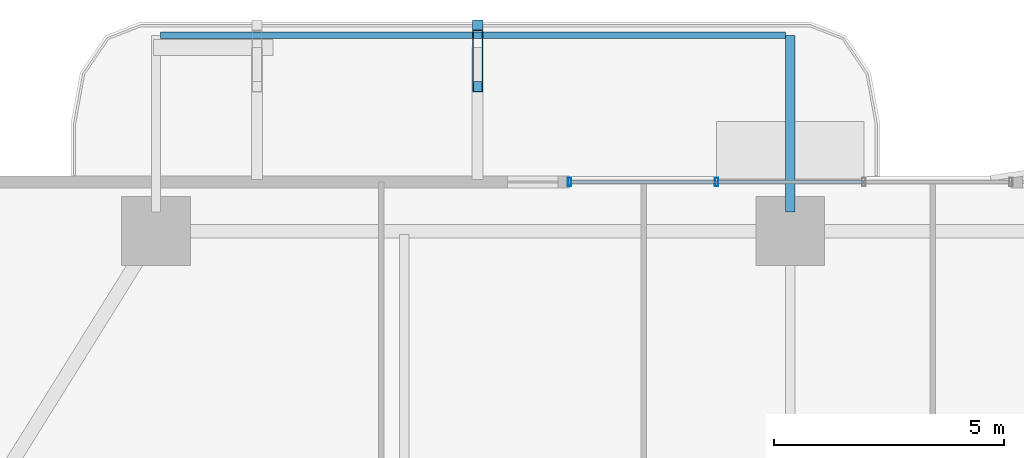
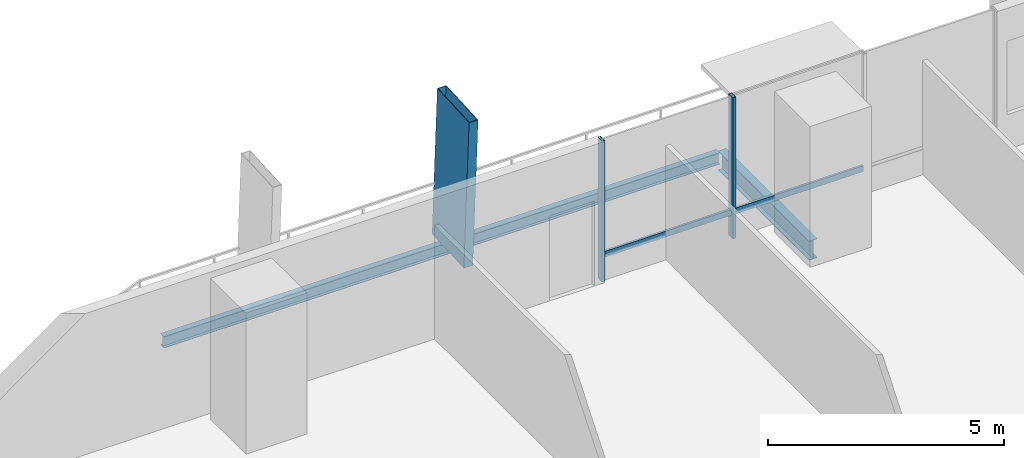
# One storey, part 11 of 24: 5 members, 2 beams, 1 element without a shape of its own.
"""IFC4 building model written with IfcOpenShell, lengths in metres."""

from ifc_helpers import new_model, si_unit, direction, frame, origin, origin_2d, place, context, subcontext, project, spatial, hollow_rectangle, i_section, extrude, material, layer, layer_set, material_profile, profile_set, type_object, element, aggregate, save


model = new_model("IFC4")

# Units and contexts
model_context = context("Model", 3, precision=1e-05, world=origin(), true_north=direction((0.0, 1.0)))
body_context = subcontext(model_context, "Body", "Model", "MODEL_VIEW")
ifc_project = project(units=[si_unit("LENGTHUNIT", "METRE"), si_unit("AREAUNIT", "SQUARE_METRE"), si_unit("VOLUMEUNIT", "CUBIC_METRE"), si_unit("PLANEANGLEUNIT", "RADIAN"), si_unit("MASSUNIT", "GRAM", prefix="KILO")], contexts=[model_context])

# Site, building, storey
site_placement = place(None, origin())
site = spatial("IfcSite", under=ifc_project, at=site_placement, CompositionType="ELEMENT")
building_placement = place(site_placement, origin())
building = spatial("IfcBuilding", under=site, at=building_placement, Name="Belovzor Exchange Tower", CompositionType="ELEMENT")
storey_placement = place(building_placement, frame((0.0, 0.0, 45.60009765625)))
storey = spatial("IfcBuildingStorey", under=building, at=storey_placement, Name="L10", CompositionType="ELEMENT", Elevation=45.60009765625)

# Member
ifc_material_1 = material(Name="Extruded Architectural Terracotta on Steel S355 Carrier", Category="masonry")
ifc_material_profile_1 = material_profile(ifc_material_1, hollow_rectangle(XDim=0.219970703125, YDim=1.35009765625, WallThickness=0.013916015625, at=origin_2d()))
ifc_profile_set_1 = profile_set([ifc_material_profile_1], Name="Extruded Architectural Terracotta on Steel S355 Carrier")
member_type_1 = type_object("IfcMemberType", Name="Base Arc Sweeping Terracotta Pylon Fin 1450", PredefinedType="USERDEFINED", material=ifc_profile_set_1)
member_1_placement = place(storey_placement, frame((22.0, 59.4208984375, -0.25), z_axis=(0.0, -0.057062249796, 0.998370622388), x_axis=(1.0, 0.0, 0.0)))
element("IfcMember", 1, at=member_1_placement, inside=storey, type_object=member_type_1, Name="FIN-TC145 Terracotta Facade Fin L10 N2", ObjectType="FIN", PredefinedType="USERDEFINED", context=body_context, shape_type="SweptSolid", body=[
    extrude(hollow_rectangle(XDim=0.219970703125, YDim=1.35009765625, WallThickness=0.013916015625, at=origin_2d()), origin(), (0.0, 0.0, 1.0), 3.90625),
])

# Beams
ifc_material_2 = material(Name="Steel S355", Category="steel")
ifc_material_profile_2 = material_profile(ifc_material_2, i_section(OverallWidth=0.199951171875, OverallDepth=0.5, WebThickness=0.01025390625, FlangeThickness=0.01611328125, at=origin_2d()))
ifc_profile_set_2 = profile_set([ifc_material_profile_2], Name="Steel S355")
beam_type_1 = type_object("IfcBeamType", Name="Planted Balcony Cantilever Beam IPE 500", PredefinedType="BEAM", material=ifc_profile_set_2)
beam_1_placement = place(storey_placement, frame((28.800048828125, 55.9130859375, -0.5), z_axis=(0.0, 1.0, 0.0), x_axis=(-1.0, 0.0, 0.0)))
element("IfcBeam", 2, at=beam_1_placement, inside=storey, type_object=beam_type_1, Name="BC-500 Planted Balcony Cantilever Beam IPE 500", PredefinedType="BEAM", context=body_context, shape_type="SweptSolid", body=[
    extrude(i_section(OverallWidth=0.199951171875, OverallDepth=0.5, WebThickness=0.01025390625, FlangeThickness=0.01611328125, at=origin_2d()), origin(), (0.0, 0.0, 1.0), 3.849853515625),
])
ifc_material_3 = material(Name="Steel S355", Category="steel")
ifc_material_profile_3 = material_profile(ifc_material_3, i_section(OverallWidth=0.14990234375, OverallDepth=0.300048828125, WebThickness=0.007080078125, FlangeThickness=0.0107421875, at=origin_2d()))
ifc_profile_set_3 = profile_set([ifc_material_profile_3], Name="Steel S355")
beam_type_2 = type_object("IfcBeamType", Name="Planted Balcony Fascia Edge Beam IPE 300", PredefinedType="BEAM", material=ifc_profile_set_3)
beam_2_placement = place(storey_placement, frame((28.699951171875, 59.762939453125, -0.400146484375), z_axis=(-1.0, 0.0, 0.0), x_axis=(0.0, -1.0, 0.0)))
element("IfcBeam", 3, at=beam_2_placement, inside=storey, type_object=beam_type_2, Name="BC-300 Planted Balcony Fascia Edge Beam IPE 300", PredefinedType="BEAM", context=body_context, shape_type="SweptSolid", body=[
    extrude(i_section(OverallWidth=0.14990234375, OverallDepth=0.300048828125, WebThickness=0.007080078125, FlangeThickness=0.0107421875, at=origin_2d()), origin(), (0.0, 0.0, 1.0), 13.599853515625),
])

# Curtain wall, members
ifc_material_4 = material(Name="Anodised Aluminium Framing", Category="aluminium")
ifc_layer = layer(ifc_material_4, 0.179931640625)
ifc_layer_set = layer_set([ifc_layer], Name="Anodised Aluminium Framing")
curtain_wall_type = type_object("IfcCurtainWallType", Name="Recessed Loggia Low-Iron Triple-Glazed Curtain Wall", PredefinedType="NOTDEFINED", material=ifc_layer_set)
curtain_wall_placement = place(storey_placement, origin())
curtain_wall = element("IfcCurtainWall", 4, at=curtain_wall_placement, inside=storey, type_object=curtain_wall_type, Name="CW3 Recessed Loggia Low-Iron Triple-Glazed Curtain Wall L10", PredefinedType="NOTDEFINED")
ifc_material_5 = material(Name="Steel S355", Category="steel")
ifc_material_profile_4 = material_profile(ifc_material_5, hollow_rectangle(XDim=0.074951171875, YDim=0.179931640625, WallThickness=0.0048828125, at=origin_2d()))
ifc_profile_set_4 = profile_set([ifc_material_profile_4], Name="Steel S355")
member_type_2 = type_object("IfcMemberType", Name="Thermally Broken Curtain Wall Mullion 180x75", PredefinedType="MULLION", material=ifc_profile_set_4)
member_2_placement = place(storey_placement, frame((24.0, 56.570068359375, 0.0), z_axis=(0.0, 0.0, 1.0), x_axis=(1.0, 0.0, 0.0)))
member_2 = element("IfcMember", 5, at=member_2_placement, type_object=member_type_2, Name="CW-M180 Curtain Wall Mullion 1", PredefinedType="MULLION", context=body_context, shape_type="SweptSolid", body=[
    extrude(hollow_rectangle(XDim=0.074951171875, YDim=0.179931640625, WallThickness=0.0048828125, at=origin_2d()), origin(), (0.0, 0.0, 1.0), 3.64990234375),
])
member_3_placement = place(storey_placement, frame((27.199951171875, 56.570068359375, 0.0), z_axis=(0.0, 0.0, 1.0), x_axis=(1.0, 0.0, 0.0)))
member_3 = element("IfcMember", 6, at=member_3_placement, type_object=member_type_2, Name="CW-M180 Curtain Wall Mullion 2", PredefinedType="MULLION", context=body_context, shape_type="SweptSolid", body=[
    extrude(hollow_rectangle(XDim=0.074951171875, YDim=0.179931640625, WallThickness=0.0048828125, at=origin_2d()), origin(), (0.0, 0.0, 1.0), 3.64990234375),
])
ifc_material_6 = material(Name="Steel S355", Category="steel")
ifc_material_profile_5 = material_profile(ifc_material_6, hollow_rectangle(XDim=0.06005859375, YDim=0.14990234375, WallThickness=0.00390625, at=origin_2d()))
ifc_profile_set_5 = profile_set([ifc_material_profile_5], Name="Steel S355")
member_type_3 = type_object("IfcMemberType", Name="Thermally Broken Curtain Wall Transom 150x60", PredefinedType="USERDEFINED", material=ifc_profile_set_5)
member_4_placement = place(storey_placement, frame((24.008056640625, 56.570068359375, 0.64990234375), z_axis=(1.0, 0.0, 0.0), x_axis=(0.0, 1.0, 0.0)))
member_4 = element("IfcMember", 7, at=member_4_placement, type_object=member_type_3, Name="CW-T150 Curtain Wall Transom 1", ObjectType="TRANSOM", PredefinedType="USERDEFINED", context=body_context, shape_type="SweptSolid", body=[
    extrude(hollow_rectangle(XDim=0.06005859375, YDim=0.14990234375, WallThickness=0.00390625, at=origin_2d()), origin(), (0.0, 0.0, 1.0), 3.183837890625),
])
member_5_placement = place(storey_placement, frame((27.2080078125, 56.570068359375, 0.64990234375), z_axis=(1.0, 0.0, 0.0), x_axis=(0.0, 1.0, 0.0)))
member_5 = element("IfcMember", 8, at=member_5_placement, type_object=member_type_3, Name="CW-T150 Curtain Wall Transom 2", ObjectType="TRANSOM", PredefinedType="USERDEFINED", context=body_context, shape_type="SweptSolid", body=[
    extrude(hollow_rectangle(XDim=0.06005859375, YDim=0.14990234375, WallThickness=0.00390625, at=origin_2d()), origin(), (0.0, 0.0, 1.0), 3.18408203125),
])
aggregate(curtain_wall, [member_2, member_3, member_4, member_5])

save(model, "model.ifc")
